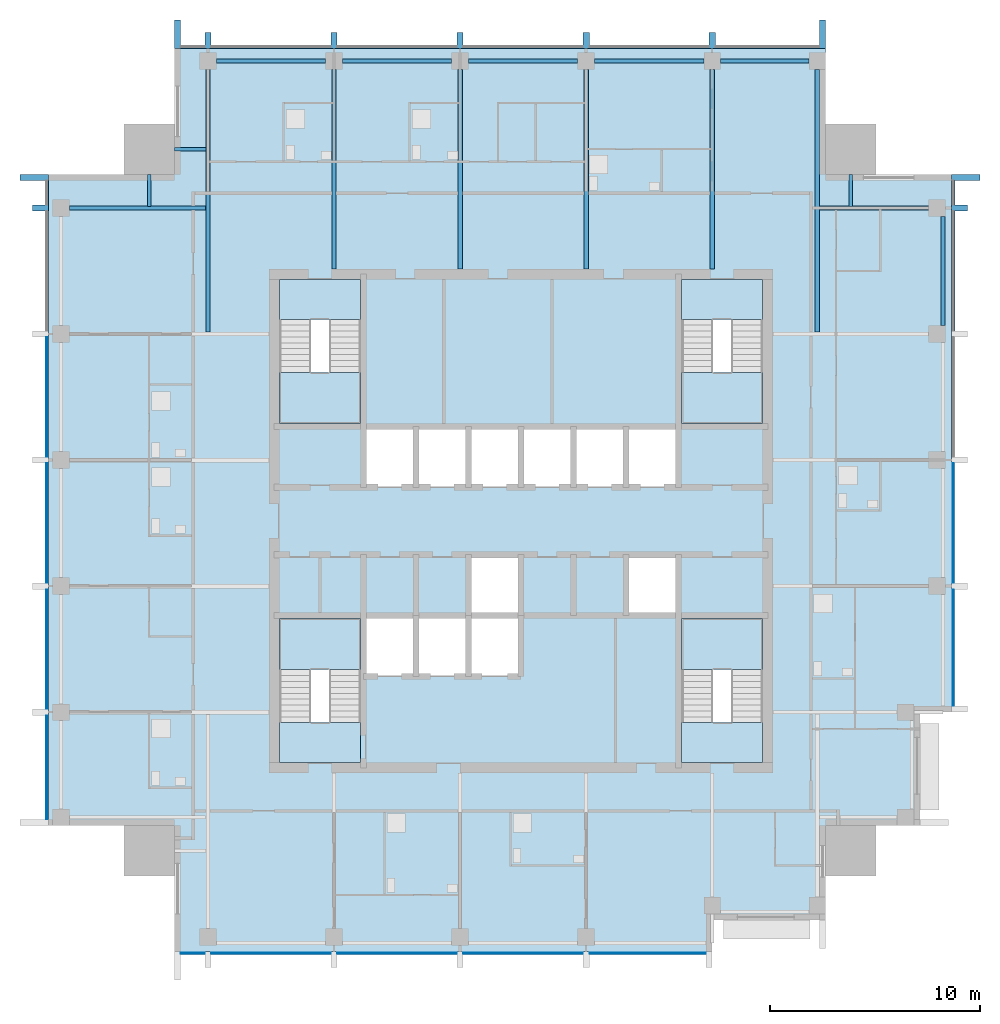
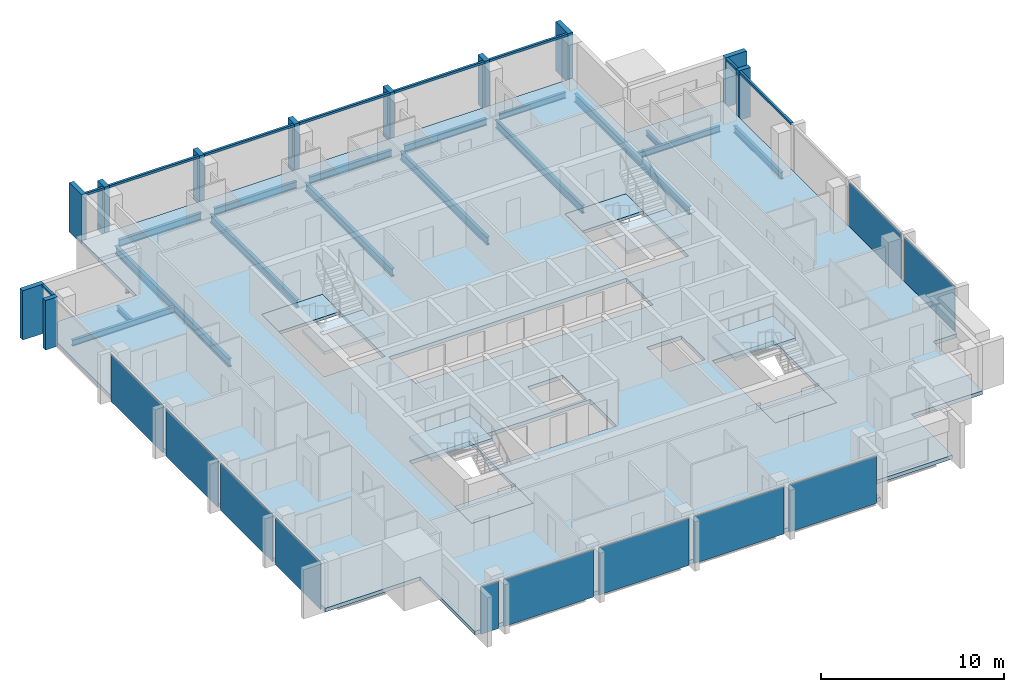
# One storey, part 2 of 9: 20 members, 17 beams, 11 plates, 9 slabs, 8 elements without a shape of their own.
"""IFC4 building model written with IfcOpenShell, lengths in metres."""

from ifc_helpers import new_model, si_unit, direction, frame, origin, origin_2d, place, context, subcontext, project, spatial, polyline, rectangle, i_section, outline, extrude, material, layer, layer_set, material_profile, profile_set, type_object, element, aggregate, save


model = new_model("IFC4")

# Units and contexts
model_context = context("Model", 3, precision=1e-05, world=origin(), true_north=direction((0.0, 1.0)))
body_context = subcontext(model_context, "Body", "Model", "MODEL_VIEW")
ifc_project = project(units=[si_unit("LENGTHUNIT", "METRE"), si_unit("AREAUNIT", "SQUARE_METRE"), si_unit("VOLUMEUNIT", "CUBIC_METRE"), si_unit("PLANEANGLEUNIT", "RADIAN"), si_unit("MASSUNIT", "GRAM", prefix="KILO")], contexts=[model_context])

# Site, building, storey
site_placement = place(None, origin())
site = spatial("IfcSite", under=ifc_project, at=site_placement, CompositionType="ELEMENT")
building_placement = place(site_placement, origin())
building = spatial("IfcBuilding", under=site, at=building_placement, Name="Amberfall Residences", CompositionType="ELEMENT")
storey_placement = place(building_placement, frame((0.0, 0.0, 255.39990234375)))
storey = spatial("IfcBuildingStorey", under=building, at=storey_placement, Name="L68", CompositionType="ELEMENT", Elevation=255.39990234375)

# Curtain wall, members
ifc_material_1 = material(Name="Bronze anodised aluminium and glass", Category="aluminium")
curtain_wall_type = type_object("IfcCurtainWallType", Name="Curtain wall CW1 tower unit", PredefinedType="USERDEFINED", material=ifc_material_1)
curtain_wall_1_placement = place(storey_placement, origin())
curtain_wall_1 = element("IfcCurtainWall", 1, at=curtain_wall_1_placement, inside=storey, type_object=curtain_wall_type, Name="Curtain wall L68 E E3", ObjectType="UNITISED CURTAIN WALL", PredefinedType="USERDEFINED")
ifc_material_2 = material(Name="Bronze anodised aluminium", Category="aluminium")
ifc_material_profile_1 = material_profile(ifc_material_2, rectangle(XDim=0.14990234375, YDim=0.14990234375, at=origin_2d()), Name="CW1 transom 150 x 150 bronze")
ifc_profile_set_1 = profile_set([ifc_material_profile_1], Name="Bronze anodised aluminium")
member_type_1 = type_object("IfcMemberType", Name="CW1 transom 150 x 150 bronze", PredefinedType="USERDEFINED", material=ifc_profile_set_1)
member_1_placement = place(storey_placement, frame((95.074951171875, 54.550048828125, 2.97509765625), z_axis=(0.0, 1.0, 0.0), x_axis=(-1.0, 0.0, 0.0)))
member_1 = element("IfcMember", 2, at=member_1_placement, type_object=member_type_1, Name="CW1 transom 4.1", ObjectType="TRANSOM", PredefinedType="USERDEFINED", context=body_context, shape_type="SweptSolid", body=[
    extrude(rectangle(XDim=0.14990234375, YDim=0.14990234375, at=origin_2d()), origin(), (0.0, 0.0, 1.0), 5.699951171875),
])
member_2_placement = place(storey_placement, frame((95.074951171875, 60.550048828125, 2.97509765625), z_axis=(0.0, 1.0, 0.0), x_axis=(-1.0, 0.0, 0.0)))
member_2 = element("IfcMember", 3, at=member_2_placement, type_object=member_type_1, Name="CW1 transom 5.1", ObjectType="TRANSOM", PredefinedType="USERDEFINED", context=body_context, shape_type="SweptSolid", body=[
    extrude(rectangle(XDim=0.14990234375, YDim=0.14990234375, at=origin_2d()), origin(), (0.0, 0.0, 1.0), 1.14990234375),
])

curtain_wall_2_placement = place(storey_placement, origin())
curtain_wall_2 = element("IfcCurtainWall", 4, at=curtain_wall_2_placement, inside=storey, type_object=curtain_wall_type, Name="Curtain wall L68 N N1", ObjectType="UNITISED CURTAIN WALL", PredefinedType="USERDEFINED")
member_3_placement = place(storey_placement, frame((88.699951171875, 68.074951171875, 2.97509765625), z_axis=(-1.0, 0.0, 0.0), x_axis=(0.0, -1.0, 0.0)))
member_3 = element("IfcMember", 5, at=member_3_placement, type_object=member_type_1, Name="CW1 transom 1.1", ObjectType="TRANSOM", PredefinedType="USERDEFINED", context=body_context, shape_type="SweptSolid", body=[
    extrude(rectangle(XDim=0.14990234375, YDim=0.14990234375, at=origin_2d()), origin(), (0.0, 0.0, 1.0), 4.949951171875),
])
member_4_placement = place(storey_placement, frame((83.449951171875, 68.074951171875, 2.97509765625), z_axis=(-1.0, 0.0, 0.0), x_axis=(0.0, -1.0, 0.0)))
member_4 = element("IfcMember", 6, at=member_4_placement, type_object=member_type_1, Name="CW1 transom 2.1", ObjectType="TRANSOM", PredefinedType="USERDEFINED", context=body_context, shape_type="SweptSolid", body=[
    extrude(rectangle(XDim=0.14990234375, YDim=0.14990234375, at=origin_2d()), origin(), (0.0, 0.0, 1.0), 5.699951171875),
])
member_5_placement = place(storey_placement, frame((77.449951171875, 68.074951171875, 2.97509765625), z_axis=(-1.0, 0.0, 0.0), x_axis=(0.0, -1.0, 0.0)))
member_5 = element("IfcMember", 7, at=member_5_placement, type_object=member_type_1, Name="CW1 transom 3.1", ObjectType="TRANSOM", PredefinedType="USERDEFINED", context=body_context, shape_type="SweptSolid", body=[
    extrude(rectangle(XDim=0.14990234375, YDim=0.14990234375, at=origin_2d()), origin(), (0.0, 0.0, 1.0), 5.699951171875),
])
member_6_placement = place(storey_placement, frame((71.449951171875, 68.074951171875, 2.97509765625), z_axis=(-1.0, 0.0, 0.0), x_axis=(0.0, -1.0, 0.0)))
member_6 = element("IfcMember", 8, at=member_6_placement, type_object=member_type_1, Name="CW1 transom 4.1", ObjectType="TRANSOM", PredefinedType="USERDEFINED", context=body_context, shape_type="SweptSolid", body=[
    extrude(rectangle(XDim=0.14990234375, YDim=0.14990234375, at=origin_2d()), origin(), (0.0, 0.0, 1.0), 5.699951171875),
])
member_7_placement = place(storey_placement, frame((65.449951171875, 68.074951171875, 2.97509765625), z_axis=(-1.0, 0.0, 0.0), x_axis=(0.0, -1.0, 0.0)))
member_7 = element("IfcMember", 9, at=member_7_placement, type_object=member_type_1, Name="CW1 transom 5.1", ObjectType="TRANSOM", PredefinedType="USERDEFINED", context=body_context, shape_type="SweptSolid", body=[
    extrude(rectangle(XDim=0.14990234375, YDim=0.14990234375, at=origin_2d()), origin(), (0.0, 0.0, 1.0), 5.699951171875),
])
member_8_placement = place(storey_placement, frame((59.449951171875, 68.074951171875, 2.97509765625), z_axis=(-1.0, 0.0, 0.0), x_axis=(0.0, -1.0, 0.0)))
member_8 = element("IfcMember", 10, at=member_8_placement, type_object=member_type_1, Name="CW1 transom 6.1", ObjectType="TRANSOM", PredefinedType="USERDEFINED", context=body_context, shape_type="SweptSolid", body=[
    extrude(rectangle(XDim=0.14990234375, YDim=0.14990234375, at=origin_2d()), origin(), (0.0, 0.0, 1.0), 1.14990234375),
])

# Curtain wall, member
curtain_wall_3_placement = place(storey_placement, origin())
curtain_wall_3 = element("IfcCurtainWall", 11, at=curtain_wall_3_placement, inside=storey, type_object=curtain_wall_type, Name="Curtain wall L68 W W1", ObjectType="UNITISED CURTAIN WALL", PredefinedType="USERDEFINED")
member_9_placement = place(storey_placement, frame((51.925048828125, 61.699951171875, 2.97509765625), z_axis=(0.0, -1.0, 0.0), x_axis=(1.0, 0.0, 0.0)))
member_9 = element("IfcMember", 12, at=member_9_placement, type_object=member_type_1, Name="CW1 transom 1.1", ObjectType="TRANSOM", PredefinedType="USERDEFINED", context=body_context, shape_type="SweptSolid", body=[
    extrude(rectangle(XDim=0.14990234375, YDim=0.14990234375, at=origin_2d()), origin(), (0.0, 0.0, 1.0), 1.14990234375),
])

# Member
ifc_material_profile_2 = material_profile(ifc_material_2, rectangle(XDim=1.35009765625, YDim=0.300048828125, at=origin_2d()), Name="Corner fin 300 x 1350 bronze")
ifc_profile_set_2 = profile_set([ifc_material_profile_2], Name="Bronze anodised aluminium")
member_type_2 = type_object("IfcMemberType", Name="Corner fin 300 x 1350 bronze", PredefinedType="MULLION", material=ifc_profile_set_2)
member_10_placement = place(storey_placement, frame((95.675048828125, 61.85009765625, -0.25), z_axis=(0.0, 0.0, 1.0), x_axis=(-1.0, 0.0, 0.0)))
member_10 = element("IfcMember", 13, at=member_10_placement, type_object=member_type_2, Name="CW FIN 6", PredefinedType="MULLION", context=body_context, shape_type="SweptSolid", body=[
    extrude(rectangle(XDim=1.35009765625, YDim=0.300048828125, at=origin_2d()), origin(), (0.0, 0.0, 1.0), 3.300048828125),
])

member_11_placement = place(storey_placement, frame((88.85009765625, 68.675048828125, -0.25), z_axis=(0.0, 0.0, 1.0), x_axis=(0.0, -1.0, 0.0)))
member_11 = element("IfcMember", 14, at=member_11_placement, type_object=member_type_2, Name="CW FIN 1", PredefinedType="MULLION", context=body_context, shape_type="SweptSolid", body=[
    extrude(rectangle(XDim=1.35009765625, YDim=0.300048828125, at=origin_2d()), origin(), (0.0, 0.0, 1.0), 3.300048828125),
])

member_12_placement = place(storey_placement, frame((58.14990234375, 68.675048828125, -0.25), z_axis=(0.0, 0.0, 1.0), x_axis=(0.0, -1.0, 0.0)))
member_12 = element("IfcMember", 15, at=member_12_placement, type_object=member_type_2, Name="CW FIN 7", PredefinedType="MULLION", context=body_context, shape_type="SweptSolid", body=[
    extrude(rectangle(XDim=1.35009765625, YDim=0.300048828125, at=origin_2d()), origin(), (0.0, 0.0, 1.0), 3.300048828125),
])

member_13_placement = place(storey_placement, frame((51.324951171875, 61.85009765625, -0.25), z_axis=(0.0, 0.0, 1.0), x_axis=(1.0, 0.0, 0.0)))
member_13 = element("IfcMember", 16, at=member_13_placement, type_object=member_type_2, Name="CW FIN 1", PredefinedType="MULLION", context=body_context, shape_type="SweptSolid", body=[
    extrude(rectangle(XDim=1.35009765625, YDim=0.300048828125, at=origin_2d()), origin(), (0.0, 0.0, 1.0), 3.300048828125),
])

# Beams
ifc_material_3 = material(Name="Steel S355", Category="steel")
ifc_material_profile_3 = material_profile(ifc_material_3, i_section(OverallWidth=0.177734375, OverallDepth=0.402587890625, WebThickness=0.0078125, FlangeThickness=0.010986328125, FilletRadius=0.01025390625, at=origin_2d()), Name="UB 406x178x54")
ifc_profile_set_3 = profile_set([ifc_material_profile_3], Name="Steel S355")
beam_type_1 = type_object("IfcBeamType", Name="Edge beam UB 406x178x54", PredefinedType="SPANDREL", material=ifc_profile_set_3)
beam_1_placement = place(storey_placement, frame((84.0, 67.39990234375, -0.451171875), z_axis=(1.0, 0.0, 0.0), x_axis=(0.0, 1.0, 0.0)))
element("IfcBeam", 17, at=beam_1_placement, inside=storey, type_object=beam_type_1, Name="Edge beam B14 L68 29", PredefinedType="SPANDREL", context=body_context, shape_type="SweptSolid", body=[
    extrude(i_section(OverallWidth=0.177734375, OverallDepth=0.402587890625, WebThickness=0.0078125, FlangeThickness=0.010986328125, FilletRadius=0.01025390625, at=origin_2d()), origin(), (0.0, 0.0, 1.0), 4.199951171875),
])
ifc_material_profile_4 = material_profile(ifc_material_3, i_section(OverallWidth=0.18994140625, OverallDepth=0.453369140625, WebThickness=0.008544921875, FlangeThickness=0.0126953125, FilletRadius=0.01025390625, at=origin_2d()), Name="UB 457x191x67")
ifc_profile_set_4 = profile_set([ifc_material_profile_4], Name="Steel S355")
beam_type_2 = type_object("IfcBeamType", Name="Edge beam UB 457x191x67", PredefinedType="SPANDREL", material=ifc_profile_set_4)
for number, where, z_axis, x_axis, name in (
    (18, (94.60009765625, 54.800048828125, -0.4765625), (0.0, 1.0, 0.0), (-1.0, 0.0, 0.0), "Edge beam B1 L68 17"),
    (19, (60.0, 67.39990234375, -0.4765625), (1.0, 0.0, 0.0), (0.0, 1.0, 0.0), "Edge beam B1 L68 25"),
    (20, (66.0, 67.39990234375, -0.4765625), (1.0, 0.0, 0.0), (0.0, 1.0, 0.0), "Edge beam B1 L68 26"),
    (21, (72.0, 67.39990234375, -0.4765625), (1.0, 0.0, 0.0), (0.0, 1.0, 0.0), "Edge beam B1 L68 27"),
    (22, (78.0, 67.39990234375, -0.4765625), (1.0, 0.0, 0.0), (0.0, 1.0, 0.0), "Edge beam B1 L68 28"),
):
    element("IfcBeam", number, at=place(storey_placement, frame(where, z_axis=z_axis, x_axis=x_axis)), inside=storey, type_object=beam_type_2, Name=name, PredefinedType="SPANDREL", context=body_context, shape_type="SweptSolid", body=[
        extrude(i_section(OverallWidth=0.18994140625, OverallDepth=0.453369140625, WebThickness=0.008544921875, FlangeThickness=0.0126953125, FilletRadius=0.01025390625, at=origin_2d()), origin(), (0.0, 0.0, 1.0), 5.199951171875),
    ])

# Member
ifc_material_profile_5 = material_profile(ifc_material_2, rectangle(XDim=0.75, YDim=0.300048828125, at=origin_2d()), Name="Fin 300 x 750 bronze")
ifc_profile_set_5 = profile_set([ifc_material_profile_5], Name="Bronze anodised aluminium")
member_type_3 = type_object("IfcMemberType", Name="Fin 300 x 750 bronze", PredefinedType="MULLION", material=ifc_profile_set_5)
member_14_placement = place(storey_placement, frame((95.375, 60.39990234375, -0.25), z_axis=(0.0, 0.0, 1.0), x_axis=(-1.0, 0.0, 0.0)))
member_14 = element("IfcMember", 23, at=member_14_placement, type_object=member_type_3, Name="CW FIN 5", PredefinedType="MULLION", context=body_context, shape_type="SweptSolid", body=[
    extrude(rectangle(XDim=0.75, YDim=0.300048828125, at=origin_2d()), origin(), (0.0, 0.0, 1.0), 3.300048828125),
])

member_15_placement = place(storey_placement, frame((83.60009765625, 68.375, -0.25), z_axis=(0.0, 0.0, 1.0), x_axis=(0.0, -1.0, 0.0)))
member_15 = element("IfcMember", 24, at=member_15_placement, type_object=member_type_3, Name="CW FIN 2", PredefinedType="MULLION", context=body_context, shape_type="SweptSolid", body=[
    extrude(rectangle(XDim=0.75, YDim=0.300048828125, at=origin_2d()), origin(), (0.0, 0.0, 1.0), 3.300048828125),
])

member_16_placement = place(storey_placement, frame((77.60009765625, 68.375, -0.25), z_axis=(0.0, 0.0, 1.0), x_axis=(0.0, -1.0, 0.0)))
member_16 = element("IfcMember", 25, at=member_16_placement, type_object=member_type_3, Name="CW FIN 3", PredefinedType="MULLION", context=body_context, shape_type="SweptSolid", body=[
    extrude(rectangle(XDim=0.75, YDim=0.300048828125, at=origin_2d()), origin(), (0.0, 0.0, 1.0), 3.300048828125),
])

member_17_placement = place(storey_placement, frame((71.60009765625, 68.375, -0.25), z_axis=(0.0, 0.0, 1.0), x_axis=(0.0, -1.0, 0.0)))
member_17 = element("IfcMember", 26, at=member_17_placement, type_object=member_type_3, Name="CW FIN 4", PredefinedType="MULLION", context=body_context, shape_type="SweptSolid", body=[
    extrude(rectangle(XDim=0.75, YDim=0.300048828125, at=origin_2d()), origin(), (0.0, 0.0, 1.0), 3.300048828125),
])

member_18_placement = place(storey_placement, frame((65.60009765625, 68.375, -0.25), z_axis=(0.0, 0.0, 1.0), x_axis=(0.0, -1.0, 0.0)))
member_18 = element("IfcMember", 27, at=member_18_placement, type_object=member_type_3, Name="CW FIN 5", PredefinedType="MULLION", context=body_context, shape_type="SweptSolid", body=[
    extrude(rectangle(XDim=0.75, YDim=0.300048828125, at=origin_2d()), origin(), (0.0, 0.0, 1.0), 3.300048828125),
])

member_19_placement = place(storey_placement, frame((59.60009765625, 68.375, -0.25), z_axis=(0.0, 0.0, 1.0), x_axis=(0.0, -1.0, 0.0)))
member_19 = element("IfcMember", 28, at=member_19_placement, type_object=member_type_3, Name="CW FIN 6", PredefinedType="MULLION", context=body_context, shape_type="SweptSolid", body=[
    extrude(rectangle(XDim=0.75, YDim=0.300048828125, at=origin_2d()), origin(), (0.0, 0.0, 1.0), 3.300048828125),
])

aggregate(curtain_wall_2, [member_11, member_15, member_16, member_17, member_18, member_19, member_12, member_3, member_4, member_5, member_6, member_7, member_8])

member_20_placement = place(storey_placement, frame((51.625, 60.39990234375, -0.25), z_axis=(0.0, 0.0, 1.0), x_axis=(1.0, 0.0, 0.0)))
member_20 = element("IfcMember", 29, at=member_20_placement, type_object=member_type_3, Name="CW FIN 2", PredefinedType="MULLION", context=body_context, shape_type="SweptSolid", body=[
    extrude(rectangle(XDim=0.75, YDim=0.300048828125, at=origin_2d()), origin(), (0.0, 0.0, 1.0), 3.300048828125),
])

# Beams
ifc_material_profile_6 = material_profile(ifc_material_3, i_section(OverallWidth=0.177734375, OverallDepth=0.402587890625, WebThickness=0.0078125, FlangeThickness=0.010986328125, FilletRadius=0.01025390625, at=origin_2d()), Name="UB 406x178x54")
ifc_profile_set_6 = profile_set([ifc_material_profile_6], Name="Steel S355")
beam_type_3 = type_object("IfcBeamType", Name="Floor girder UB 406x178x54", PredefinedType="BEAM", material=ifc_profile_set_6)
beam_2_placement = place(storey_placement, frame((93.89990234375, 60.39990234375, -0.451171875), z_axis=(-1.0, 0.0, 0.0), x_axis=(0.0, -1.0, 0.0)))
element("IfcBeam", 30, at=beam_2_placement, inside=storey, type_object=beam_type_3, Name="Floor girder B4 L68 24", PredefinedType="BEAM", context=body_context, shape_type="SweptSolid", body=[
    extrude(i_section(OverallWidth=0.177734375, OverallDepth=0.402587890625, WebThickness=0.0078125, FlangeThickness=0.010986328125, FilletRadius=0.01025390625, at=origin_2d()), origin(), (0.0, 0.0, 1.0), 5.179931640625),
])
beam_3_placement = place(storey_placement, frame((53.0, 60.39990234375, -0.451171875), z_axis=(1.0, 0.0, 0.0), x_axis=(0.0, 1.0, 0.0)))
element("IfcBeam", 31, at=beam_3_placement, inside=storey, type_object=beam_type_3, Name="Floor girder B4 L68 46", PredefinedType="BEAM", context=body_context, shape_type="SweptSolid", body=[
    extrude(i_section(OverallWidth=0.177734375, OverallDepth=0.402587890625, WebThickness=0.0078125, FlangeThickness=0.010986328125, FilletRadius=0.01025390625, at=origin_2d()), origin(), (0.0, 0.0, 1.0), 6.47998046875),
])
ifc_material_profile_7 = material_profile(ifc_material_3, i_section(OverallWidth=0.210693359375, OverallDepth=0.53955078125, WebThickness=0.01171875, FlangeThickness=0.018798828125, FilletRadius=0.0126953125, at=origin_2d()), Name="UB 533x210x109")
ifc_profile_set_7 = profile_set([ifc_material_profile_7], Name="Steel S355")
beam_type_4 = type_object("IfcBeamType", Name="Floor girder UB 533x210x109", PredefinedType="BEAM", material=ifc_profile_set_7)
beam_4_placement = place(storey_placement, frame((59.60009765625, 67.0, -0.51953125), z_axis=(0.0, -1.0, 0.0), x_axis=(1.0, 0.0, 0.0)))
element("IfcBeam", 32, at=beam_4_placement, inside=storey, type_object=beam_type_4, Name="Floor girder B2 L68 30", PredefinedType="BEAM", context=body_context, shape_type="SweptSolid", body=[
    extrude(i_section(OverallWidth=0.210693359375, OverallDepth=0.53955078125, WebThickness=0.01171875, FlangeThickness=0.018798828125, FilletRadius=0.0126953125, at=origin_2d()), origin(), (0.0, 0.0, 1.0), 12.50048828125),
])
beam_5_placement = place(storey_placement, frame((88.60009765625, 67.0, -0.51953125), z_axis=(0.0, -1.0, 0.0), x_axis=(1.0, 0.0, 0.0)))
element("IfcBeam", 33, at=beam_5_placement, inside=storey, type_object=beam_type_4, Name="Floor girder B2 L68 35", PredefinedType="BEAM", context=body_context, shape_type="SweptSolid", body=[
    extrude(i_section(OverallWidth=0.210693359375, OverallDepth=0.53955078125, WebThickness=0.01171875, FlangeThickness=0.018798828125, FilletRadius=0.0126953125, at=origin_2d()), origin(), (0.0, 0.0, 1.0), 12.509521484375),
])
ifc_material_profile_8 = material_profile(ifc_material_3, i_section(OverallWidth=0.209228515625, OverallDepth=0.533203125, WebThickness=0.010009765625, FlangeThickness=0.015625, FilletRadius=0.0126953125, at=origin_2d()), Name="UB 533x210x92")
ifc_profile_set_8 = profile_set([ifc_material_profile_8], Name="Steel S355")
beam_type_5 = type_object("IfcBeamType", Name="Floor girder UB 533x210x92", PredefinedType="BEAM", material=ifc_profile_set_8)
for number, where, z_axis, x_axis, name in (
    (34, (65.60009765625, 67.0, -0.516357421875), (0.0, -1.0, 0.0), (1.0, 0.0, 0.0), "Floor girder B3 L68 31"),
    (35, (71.60009765625, 67.0, -0.516357421875), (0.0, -1.0, 0.0), (1.0, 0.0, 0.0), "Floor girder B3 L68 32"),
    (36, (77.60009765625, 67.0, -0.516357421875), (0.0, -1.0, 0.0), (1.0, 0.0, 0.0), "Floor girder B3 L68 33"),
    (37, (83.60009765625, 67.0, -0.516357421875), (0.0, -1.0, 0.0), (1.0, 0.0, 0.0), "Floor girder B3 L68 34"),
):
    element("IfcBeam", number, at=place(storey_placement, frame(where, z_axis=z_axis, x_axis=x_axis)), inside=storey, type_object=beam_type_5, Name=name, PredefinedType="BEAM", context=body_context, shape_type="SweptSolid", body=[
        extrude(i_section(OverallWidth=0.209228515625, OverallDepth=0.533203125, WebThickness=0.010009765625, FlangeThickness=0.015625, FilletRadius=0.0126953125, at=origin_2d()), origin(), (0.0, 0.0, 1.0), 9.5),
    ])
ifc_material_profile_9 = material_profile(ifc_material_3, i_section(OverallWidth=0.171142578125, OverallDepth=0.351318359375, WebThickness=0.007080078125, FlangeThickness=0.009765625, FilletRadius=0.01025390625, at=origin_2d()), Name="UB 356x171x45")
ifc_profile_set_9 = profile_set([ifc_material_profile_9], Name="Steel S355")
beam_type_6 = type_object("IfcBeamType", Name="Link beam UB 356x171x45", PredefinedType="BEAM", material=ifc_profile_set_9)
beam_6_placement = place(storey_placement, frame((90.199951171875, 62.0, -0.425537109375), z_axis=(0.0, -1.0, 0.0), x_axis=(1.0, 0.0, 0.0)))
element("IfcBeam", 38, at=beam_6_placement, inside=storey, type_object=beam_type_6, Name="Link beam B7 L68 48", PredefinedType="BEAM", context=body_context, shape_type="SweptSolid", body=[
    extrude(i_section(OverallWidth=0.171142578125, OverallDepth=0.351318359375, WebThickness=0.007080078125, FlangeThickness=0.009765625, FilletRadius=0.01025390625, at=origin_2d()), origin(), (0.0, 0.0, 1.0), 1.52099609375),
])
beam_7_placement = place(storey_placement, frame((58.0, 63.199951171875, -0.425537109375), z_axis=(1.0, 0.0, 0.0), x_axis=(0.0, 1.0, 0.0)))
element("IfcBeam", 39, at=beam_7_placement, inside=storey, type_object=beam_type_6, Name="Link beam B7 L68 49", PredefinedType="BEAM", context=body_context, shape_type="SweptSolid", body=[
    extrude(i_section(OverallWidth=0.171142578125, OverallDepth=0.351318359375, WebThickness=0.007080078125, FlangeThickness=0.009765625, FilletRadius=0.01025390625, at=origin_2d()), origin(), (0.0, 0.0, 1.0), 1.504638671875),
])
beam_8_placement = place(storey_placement, frame((56.800048828125, 62.0, -0.425537109375), z_axis=(0.0, -1.0, 0.0), x_axis=(1.0, 0.0, 0.0)))
element("IfcBeam", 40, at=beam_8_placement, inside=storey, type_object=beam_type_6, Name="Link beam B7 L68 50", PredefinedType="BEAM", context=body_context, shape_type="SweptSolid", body=[
    extrude(i_section(OverallWidth=0.171142578125, OverallDepth=0.351318359375, WebThickness=0.007080078125, FlangeThickness=0.009765625, FilletRadius=0.01025390625, at=origin_2d()), origin(), (0.0, 0.0, 1.0), 1.52099609375),
])

# Curtain wall, plates
curtain_wall_4_placement = place(storey_placement, origin())
curtain_wall_4 = element("IfcCurtainWall", 41, at=curtain_wall_4_placement, inside=storey, type_object=curtain_wall_type, Name="Curtain wall L68 S S1", ObjectType="UNITISED CURTAIN WALL", PredefinedType="USERDEFINED")
ifc_material_4 = material(Name="Tinted double glazed unit", Category="glass")
ifc_layer_1 = layer(ifc_material_4, 0.035888671875)
ifc_layer_set_1 = layer_set([ifc_layer_1], Name="CW1 panel 36 glazing")
plate_type = type_object("IfcPlateType", Name="CW1 panel 36 glazing", PredefinedType="CURTAIN_PANEL", material=ifc_layer_set_1)
plate_1_placement = place(storey_placement, frame((58.875, 24.925048828125, -0.249755859375), z_axis=(0.0, 0.0, 1.0), x_axis=(1.0, 0.0, 0.0)))
plate_1 = element("IfcPlate", 42, at=plate_1_placement, type_object=plate_type, Name="CW1 panel 1.1", PredefinedType="CURTAIN_PANEL", context=body_context, shape_type="SweptSolid", body=[
    extrude(rectangle(XDim=1.1259765625, YDim=0.035888671875, at=origin_2d()), origin(), (0.0, 0.0, 1.0), 3.14990234375),
])
plate_2_placement = place(storey_placement, frame((62.60009765625, 24.925048828125, -0.249755859375), z_axis=(0.0, 0.0, 1.0), x_axis=(1.0, 0.0, 0.0)))
plate_2 = element("IfcPlate", 43, at=plate_2_placement, type_object=plate_type, Name="CW1 panel 2.1", PredefinedType="CURTAIN_PANEL", context=body_context, shape_type="SweptSolid", body=[
    extrude(rectangle(XDim=5.676025390625, YDim=0.035888671875, at=origin_2d()), origin(), (0.0, 0.0, 1.0), 3.14990234375),
])
plate_3_placement = place(storey_placement, frame((68.60009765625, 24.925048828125, -0.249755859375), z_axis=(0.0, 0.0, 1.0), x_axis=(1.0, 0.0, 0.0)))
plate_3 = element("IfcPlate", 44, at=plate_3_placement, type_object=plate_type, Name="CW1 panel 3.1", PredefinedType="CURTAIN_PANEL", context=body_context, shape_type="SweptSolid", body=[
    extrude(rectangle(XDim=5.676025390625, YDim=0.035888671875, at=origin_2d()), origin(), (0.0, 0.0, 1.0), 3.14990234375),
])
plate_4_placement = place(storey_placement, frame((74.60009765625, 24.925048828125, -0.249755859375), z_axis=(0.0, 0.0, 1.0), x_axis=(1.0, 0.0, 0.0)))
plate_4 = element("IfcPlate", 45, at=plate_4_placement, type_object=plate_type, Name="CW1 panel 4.1", PredefinedType="CURTAIN_PANEL", context=body_context, shape_type="SweptSolid", body=[
    extrude(rectangle(XDim=5.676025390625, YDim=0.035888671875, at=origin_2d()), origin(), (0.0, 0.0, 1.0), 3.14990234375),
])
plate_5_placement = place(storey_placement, frame((80.52490234375, 24.925048828125, -0.249755859375), z_axis=(0.0, 0.0, 1.0), x_axis=(1.0, 0.0, 0.0)))
plate_5 = element("IfcPlate", 46, at=plate_5_placement, type_object=plate_type, Name="CW1 panel 5.1", PredefinedType="CURTAIN_PANEL", context=body_context, shape_type="SweptSolid", body=[
    extrude(rectangle(XDim=5.52587890625, YDim=0.035888671875, at=origin_2d()), origin(), (0.0, 0.0, 1.0), 3.14990234375),
])
aggregate(curtain_wall_4, [plate_1, plate_2, plate_3, plate_4, plate_5])

# Plate
plate_6_placement = place(storey_placement, frame((95.074951171875, 39.47509765625, -0.249755859375), z_axis=(0.0, 0.0, 1.0), x_axis=(0.0, 1.0, 0.0)))
plate_6 = element("IfcPlate", 47, at=plate_6_placement, type_object=plate_type, Name="CW1 panel 1.1", PredefinedType="CURTAIN_PANEL", context=body_context, shape_type="SweptSolid", body=[
    extrude(rectangle(XDim=5.52587890625, YDim=0.035888671875, at=origin_2d()), origin(), (0.0, 0.0, 1.0), 3.14990234375),
])

plate_7_placement = place(storey_placement, frame((95.074951171875, 45.39990234375, -0.249755859375), z_axis=(0.0, 0.0, 1.0), x_axis=(0.0, 1.0, 0.0)))
plate_7 = element("IfcPlate", 48, at=plate_7_placement, type_object=plate_type, Name="CW1 panel 2.1", PredefinedType="CURTAIN_PANEL", context=body_context, shape_type="SweptSolid", body=[
    extrude(rectangle(XDim=5.676025390625, YDim=0.035888671875, at=origin_2d()), origin(), (0.0, 0.0, 1.0), 3.14990234375),
])

aggregate(curtain_wall_1, [member_14, member_10, plate_6, plate_7, member_1, member_2])

plate_8_placement = place(storey_placement, frame((51.925048828125, 51.39990234375, -0.249755859375), z_axis=(0.0, 0.0, 1.0), x_axis=(0.0, -1.0, 0.0)))
plate_8 = element("IfcPlate", 49, at=plate_8_placement, type_object=plate_type, Name="CW1 panel 3.1", PredefinedType="CURTAIN_PANEL", context=body_context, shape_type="SweptSolid", body=[
    extrude(rectangle(XDim=5.676025390625, YDim=0.035888671875, at=origin_2d()), origin(), (0.0, 0.0, 1.0), 3.14990234375),
])

plate_9_placement = place(storey_placement, frame((51.925048828125, 45.39990234375, -0.249755859375), z_axis=(0.0, 0.0, 1.0), x_axis=(0.0, -1.0, 0.0)))
plate_9 = element("IfcPlate", 50, at=plate_9_placement, type_object=plate_type, Name="CW1 panel 4.1", PredefinedType="CURTAIN_PANEL", context=body_context, shape_type="SweptSolid", body=[
    extrude(rectangle(XDim=5.676025390625, YDim=0.035888671875, at=origin_2d()), origin(), (0.0, 0.0, 1.0), 3.14990234375),
])

plate_10_placement = place(storey_placement, frame((51.925048828125, 39.39990234375, -0.249755859375), z_axis=(0.0, 0.0, 1.0), x_axis=(0.0, -1.0, 0.0)))
plate_10 = element("IfcPlate", 51, at=plate_10_placement, type_object=plate_type, Name="CW1 panel 5.1", PredefinedType="CURTAIN_PANEL", context=body_context, shape_type="SweptSolid", body=[
    extrude(rectangle(XDim=5.676025390625, YDim=0.035888671875, at=origin_2d()), origin(), (0.0, 0.0, 1.0), 3.14990234375),
])

plate_11_placement = place(storey_placement, frame((51.925048828125, 33.77490234375, -0.249755859375), z_axis=(0.0, 0.0, 1.0), x_axis=(0.0, -1.0, 0.0)))
plate_11 = element("IfcPlate", 52, at=plate_11_placement, type_object=plate_type, Name="CW1 panel 6.1", PredefinedType="CURTAIN_PANEL", context=body_context, shape_type="SweptSolid", body=[
    extrude(rectangle(XDim=4.926025390625, YDim=0.035888671875, at=origin_2d()), origin(), (0.0, 0.0, 1.0), 3.14990234375),
])

aggregate(curtain_wall_3, [member_13, member_20, member_9, plate_8, plate_9, plate_10, plate_11])

# Slab
ifc_material_5 = material(Name="Concrete C50", Category="concrete")
ifc_layer_2 = layer(ifc_material_5, 0.25)
ifc_layer_set_2 = layer_set([ifc_layer_2], Name="Floor slab 250 C50")
slab_type_1 = type_object("IfcSlabType", Name="Floor slab 250 C50", PredefinedType="FLOOR", material=ifc_layer_set_2)
slab_1_placement = place(storey_placement, frame((0.0, 0.0, -0.25)))
element("IfcSlab", 53, at=slab_1_placement, inside=storey, type_object=slab_type_1, Name="Floor slab S19 L68", PredefinedType="FLOOR", context=body_context, shape_type="SweptSolid", body=[
    extrude(outline(polyline([(83.60009765625, 26.5), (83.60009765625, 25.0), (58.0, 25.0), (58.0, 31.0), (52.0, 31.0), (52.0, 62.0), (58.0, 62.0), (58.0, 68.0), (89.0, 68.0), (89.0, 62.0), (95.0, 62.0), (95.0, 36.39990234375), (93.5, 36.39990234375), (93.5, 31.0), (89.0, 31.0), (89.0, 26.5), (83.60009765625, 26.5)]), holes=[polyline([(86.0, 34.0), (86.0, 40.85009765625), (82.14990234375, 40.85009765625), (82.14990234375, 34.0), (86.0, 34.0)]), polyline([(86.0, 50.14990234375), (86.0, 57.0), (82.14990234375, 57.0), (82.14990234375, 50.14990234375), (86.0, 50.14990234375)]), polyline([(72.0, 50.0), (69.5, 50.0), (67.0, 50.0), (67.0, 47.10009765625), (69.5, 47.10009765625), (72.0, 47.10009765625), (74.5, 47.10009765625), (77.0, 47.10009765625), (79.5, 47.10009765625), (82.0, 47.10009765625), (82.0, 50.0), (79.5, 50.0), (77.0, 50.0), (74.5, 50.0), (72.0, 50.0)]), polyline([(81.85009765625, 41.14990234375), (81.85009765625, 43.75), (79.64990234375, 43.75), (79.64990234375, 41.14990234375), (81.85009765625, 41.14990234375)]), polyline([(69.5, 41.0), (67.0, 41.0), (67.0, 38.10009765625), (69.5, 38.10009765625), (72.0, 38.10009765625), (74.5, 38.10009765625), (74.5, 41.0), (72.0, 41.0), (69.5, 41.0)]), polyline([(74.35009765625, 41.14990234375), (74.35009765625, 43.75), (72.14990234375, 43.75), (72.14990234375, 41.14990234375), (74.35009765625, 41.14990234375)]), polyline([(66.85009765625, 50.14990234375), (66.85009765625, 57.0), (63.0, 57.0), (63.0, 50.14990234375), (66.85009765625, 50.14990234375)]), polyline([(66.85009765625, 40.85009765625), (63.0, 40.85009765625), (63.0, 34.0), (66.85009765625, 34.0), (66.85009765625, 40.85009765625)])]), origin(), (0.0, 0.0, 1.0), 0.25),
])

# Stair, slabs
ifc_material_6 = material(Name="Concrete C40", Category="concrete")
stair_type = type_object("IfcStairType", Name="Exit stair 20 risers 165.0 mm", PredefinedType="HALF_TURN_STAIR", material=ifc_material_6)
stair_1_placement = place(storey_placement, origin())
stair_1 = element("IfcStair", 54, at=stair_1_placement, inside=storey, type_object=stair_type, Name="L68 Exit stair 1", PredefinedType="HALF_TURN_STAIR")
ifc_layer_3 = layer(ifc_material_6, 0.199951171875)
ifc_layer_set_3 = layer_set([ifc_layer_3], Name="Stair landing 200")
slab_type_2 = type_object("IfcSlabType", Name="Stair landing 200", PredefinedType="LANDING", material=ifc_layer_set_3)
slab_2_placement = place(storey_placement, frame((0.0, 0.0, 1.4501953125)))
slab_2 = element("IfcSlab", 55, at=slab_2_placement, type_object=slab_type_2, Name="ST3 landing 1", PredefinedType="LANDING", context=body_context, shape_type="SweptSolid", body=[
    extrude(outline(polyline([(66.85009765625, 38.419921875), (66.85009765625, 40.85009765625), (63.0, 40.85009765625), (63.0, 38.419921875), (66.85009765625, 38.419921875)])), origin(), (0.0, 0.0, 1.0), 0.199951171875),
])
slab_3_placement = place(storey_placement, frame((0.0, 0.0, -0.199951171875)))
slab_3 = element("IfcSlab", 56, at=slab_3_placement, type_object=slab_type_2, Name="ST3 landing 2", PredefinedType="LANDING", context=body_context, shape_type="SweptSolid", body=[
    extrude(outline(polyline([(66.85009765625, 34.0), (66.85009765625, 35.89990234375), (63.0, 35.89990234375), (63.0, 34.0), (66.85009765625, 34.0)])), origin(), (0.0, 0.0, 1.0), 0.199951171875),
])
aggregate(stair_1, [slab_2, slab_3])

stair_2_placement = place(storey_placement, origin())
stair_2 = element("IfcStair", 57, at=stair_2_placement, inside=storey, type_object=stair_type, Name="L68 Exit stair 2", PredefinedType="HALF_TURN_STAIR")
slab_4_placement = place(storey_placement, frame((0.0, 0.0, 1.4501953125)))
slab_4 = element("IfcSlab", 58, at=slab_4_placement, type_object=slab_type_2, Name="ST3 landing 1", PredefinedType="LANDING", context=body_context, shape_type="SweptSolid", body=[
    extrude(outline(polyline([(86.0, 38.419921875), (86.0, 40.85009765625), (82.14990234375, 40.85009765625), (82.14990234375, 38.419921875), (86.0, 38.419921875)])), origin(), (0.0, 0.0, 1.0), 0.199951171875),
])
slab_5_placement = place(storey_placement, frame((0.0, 0.0, -0.199951171875)))
slab_5 = element("IfcSlab", 59, at=slab_5_placement, type_object=slab_type_2, Name="ST3 landing 2", PredefinedType="LANDING", context=body_context, shape_type="SweptSolid", body=[
    extrude(outline(polyline([(86.0, 34.0), (86.0, 35.89990234375), (82.14990234375, 35.89990234375), (82.14990234375, 34.0), (86.0, 34.0)])), origin(), (0.0, 0.0, 1.0), 0.199951171875),
])
aggregate(stair_2, [slab_4, slab_5])

stair_3_placement = place(storey_placement, origin())
stair_3 = element("IfcStair", 60, at=stair_3_placement, inside=storey, type_object=stair_type, Name="L68 Exit stair 3", PredefinedType="HALF_TURN_STAIR")
slab_6_placement = place(storey_placement, frame((0.0, 0.0, 1.4501953125)))
slab_6 = element("IfcSlab", 61, at=slab_6_placement, type_object=slab_type_2, Name="ST3 landing 1", PredefinedType="LANDING", context=body_context, shape_type="SweptSolid", body=[
    extrude(outline(polyline([(82.14990234375, 52.580078125), (82.14990234375, 50.14990234375), (86.0, 50.14990234375), (86.0, 52.580078125), (82.14990234375, 52.580078125)])), origin(), (0.0, 0.0, 1.0), 0.199951171875),
])
slab_7_placement = place(storey_placement, frame((0.0, 0.0, -0.199951171875)))
slab_7 = element("IfcSlab", 62, at=slab_7_placement, type_object=slab_type_2, Name="ST3 landing 2", PredefinedType="LANDING", context=body_context, shape_type="SweptSolid", body=[
    extrude(outline(polyline([(82.14990234375, 57.0), (82.14990234375, 55.10009765625), (86.0, 55.10009765625), (86.0, 57.0), (82.14990234375, 57.0)])), origin(), (0.0, 0.0, 1.0), 0.199951171875),
])
aggregate(stair_3, [slab_6, slab_7])

stair_4_placement = place(storey_placement, origin())
stair_4 = element("IfcStair", 63, at=stair_4_placement, inside=storey, type_object=stair_type, Name="L68 Exit stair 4", PredefinedType="HALF_TURN_STAIR")
slab_8_placement = place(storey_placement, frame((0.0, 0.0, 1.4501953125)))
slab_8 = element("IfcSlab", 64, at=slab_8_placement, type_object=slab_type_2, Name="ST3 landing 1", PredefinedType="LANDING", context=body_context, shape_type="SweptSolid", body=[
    extrude(outline(polyline([(63.0, 52.580078125), (63.0, 50.14990234375), (66.85009765625, 50.14990234375), (66.85009765625, 52.580078125), (63.0, 52.580078125)])), origin(), (0.0, 0.0, 1.0), 0.199951171875),
])
slab_9_placement = place(storey_placement, frame((0.0, 0.0, -0.199951171875)))
slab_9 = element("IfcSlab", 65, at=slab_9_placement, type_object=slab_type_2, Name="ST3 landing 2", PredefinedType="LANDING", context=body_context, shape_type="SweptSolid", body=[
    extrude(outline(polyline([(63.0, 57.0), (63.0, 55.10009765625), (66.85009765625, 55.10009765625), (66.85009765625, 57.0), (63.0, 57.0)])), origin(), (0.0, 0.0, 1.0), 0.199951171875),
])
aggregate(stair_4, [slab_8, slab_9])

save(model, "model.ifc")
